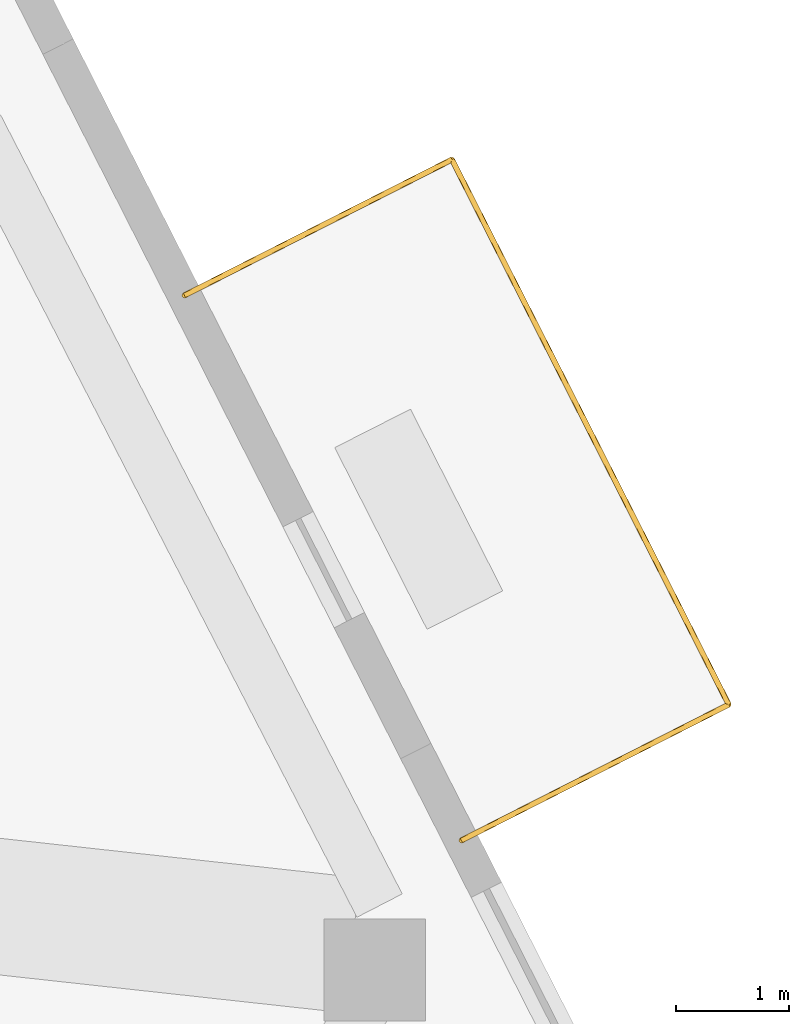
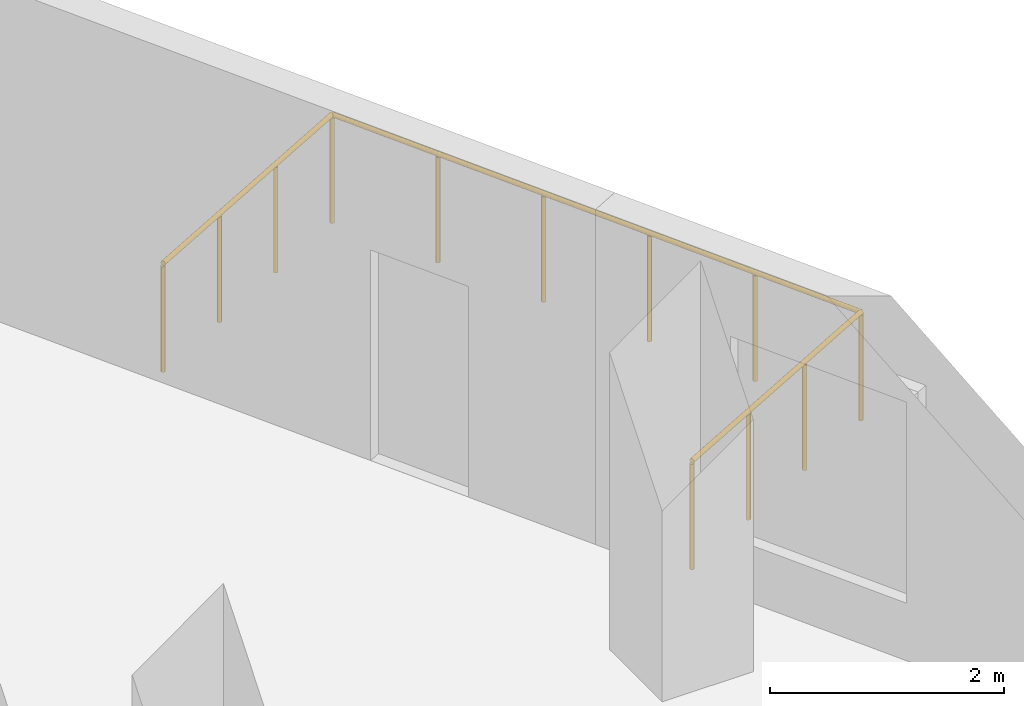
# One storey, part 10 of 10: 1 railing.
"""IFC4 building model written with IfcOpenShell, lengths in metres."""

from ifc_helpers import new_model, si_unit, direction, frame, origin, origin_2d, place, context, subcontext, project, spatial, circle, extrude, material, type_object, element, save


model = new_model("IFC4")

# Units and contexts
model_context = context("Model", 3, precision=1e-05, world=origin(), true_north=direction((0.0, 1.0)))
body_context = subcontext(model_context, "Body", "Model", "MODEL_VIEW")
ifc_project = project(units=[si_unit("LENGTHUNIT", "METRE"), si_unit("AREAUNIT", "SQUARE_METRE"), si_unit("VOLUMEUNIT", "CUBIC_METRE"), si_unit("PLANEANGLEUNIT", "RADIAN"), si_unit("MASSUNIT", "GRAM", prefix="KILO")], contexts=[model_context])

# Site, building, storey
site_placement = place(None, origin())
site = spatial("IfcSite", under=ifc_project, at=site_placement, CompositionType="ELEMENT")
building_placement = place(site_placement, origin())
building = spatial("IfcBuilding", under=site, at=building_placement, Name="Almagre Mirador Tower", CompositionType="ELEMENT")
storey_placement = place(building_placement, frame((0.0, 0.0, 229.5)))
storey = spatial("IfcBuildingStorey", under=building, at=storey_placement, Name="L59", CompositionType="ELEMENT", Elevation=229.5)

# Railing
ifc_material = material(Name="Black anodized aluminium", Category="aluminium")
railing_type = type_object("IfcRailingType", Name="RLG-BAL-1150", PredefinedType="BALUSTRADE", material=ifc_material)
railing_placement = place(storey_placement, frame((53.89306640625, 10.673095703125, 0.0)))
element("IfcRailing", 1, at=railing_placement, inside=storey, type_object=railing_type, Name="L59 east balcony balustrade 1", PredefinedType="BALUSTRADE", context=body_context, shape_type="SweptSolid", body=[
    extrude(circle(Radius=0.02392578125, at=origin_2d()), frame((0.0, 0.0, 1.1259765625), z_axis=(0.891533384622, 0.452954991257, 0.0), x_axis=(-0.452954991257, 0.891533384622, 0.0)), (0.0, 0.0, 1.0), 2.649169921875),
    extrude(circle(Radius=0.02392578125, at=origin_2d()), frame((2.36181640625, 1.199951171875, 1.1259765625), z_axis=(-0.452811824852, 0.891606107692, 0.0), x_axis=(-0.891606107692, -0.452811824852, 0.0)), (0.0, 0.0, 1.0), 5.399169921875),
    extrude(circle(Radius=0.02392578125, at=origin_2d()), frame((-0.0830078125, 6.013916015625, 1.1259765625), z_axis=(-0.891627865532, -0.452768980173, 0.0), x_axis=(0.452768980173, -0.891627865532, 0.0)), (0.0, 0.0, 1.0), 2.650146484375),
    extrude(circle(Radius=0.02099609375, at=origin_2d()), origin(), (0.0, 0.0, 1.0), 1.101806640625),
    extrude(circle(Radius=0.02099609375, at=origin_2d()), frame((0.787353515625, 0.39990234375, 0.0)), (0.0, 0.0, 1.0), 1.101806640625),
    extrude(circle(Radius=0.02099609375, at=origin_2d()), frame((1.574462890625, 0.800048828125, 0.0)), (0.0, 0.0, 1.0), 1.101806640625),
    extrude(circle(Radius=0.02099609375, at=origin_2d()), frame((2.36181640625, 1.199951171875, 0.0)), (0.0, 0.0, 1.0), 1.101806640625),
    extrude(circle(Radius=0.02099609375, at=origin_2d()), frame((1.872802734375, 2.162841796875, 0.0)), (0.0, 0.0, 1.0), 1.101806640625),
    extrude(circle(Radius=0.02099609375, at=origin_2d()), frame((1.3837890625, 3.12548828125, 0.0)), (0.0, 0.0, 1.0), 1.101806640625),
    extrude(circle(Radius=0.02099609375, at=origin_2d()), frame((0.89501953125, 4.08837890625, 0.0)), (0.0, 0.0, 1.0), 1.101806640625),
    extrude(circle(Radius=0.02099609375, at=origin_2d()), frame((0.406005859375, 5.051025390625, 0.0)), (0.0, 0.0, 1.0), 1.101806640625),
    extrude(circle(Radius=0.02099609375, at=origin_2d()), frame((-0.0830078125, 6.013916015625, 0.0)), (0.0, 0.0, 1.0), 1.101806640625),
    extrude(circle(Radius=0.02099609375, at=origin_2d()), frame((-0.87060546875, 5.614013671875, 0.0)), (0.0, 0.0, 1.0), 1.101806640625),
    extrude(circle(Radius=0.02099609375, at=origin_2d()), frame((-1.658447265625, 5.2138671875, 0.0)), (0.0, 0.0, 1.0), 1.101806640625),
    extrude(circle(Radius=0.02099609375, at=origin_2d()), frame((-2.446044921875, 4.81396484375, 0.0)), (0.0, 0.0, 1.0), 1.101806640625),
])

save(model, "model.ifc")
